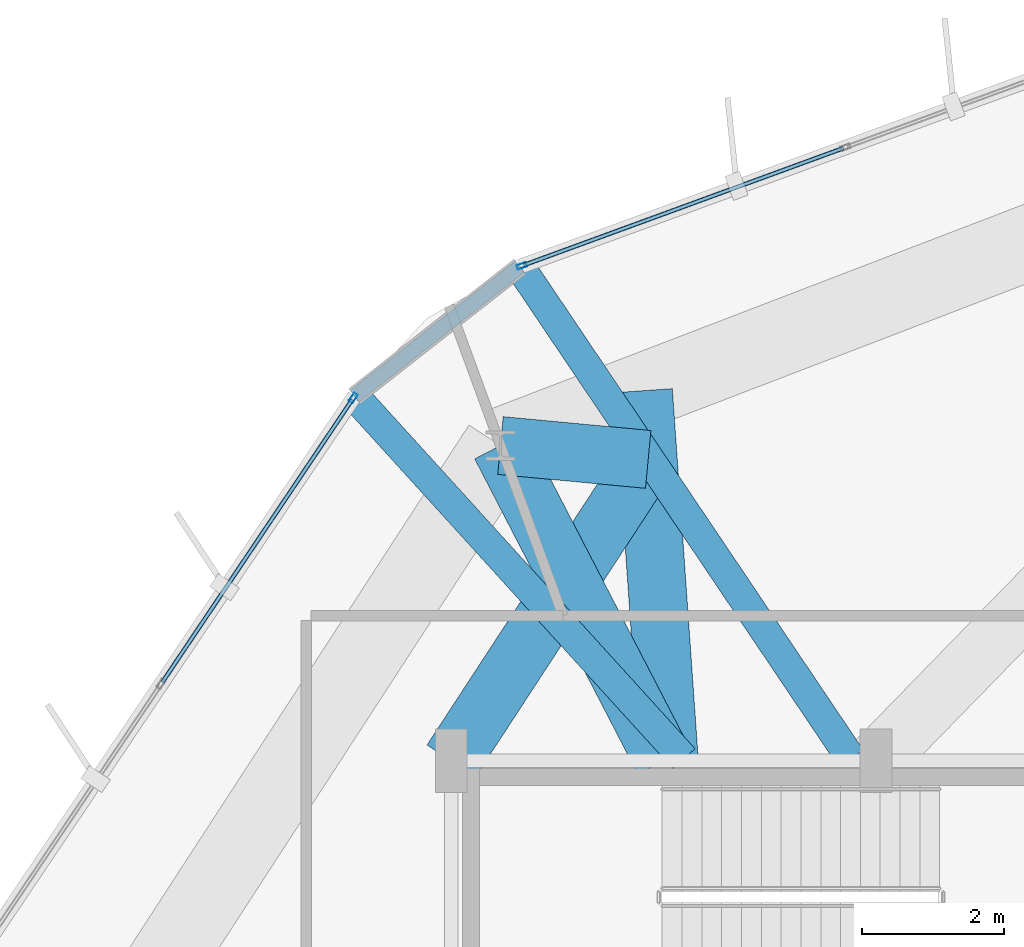
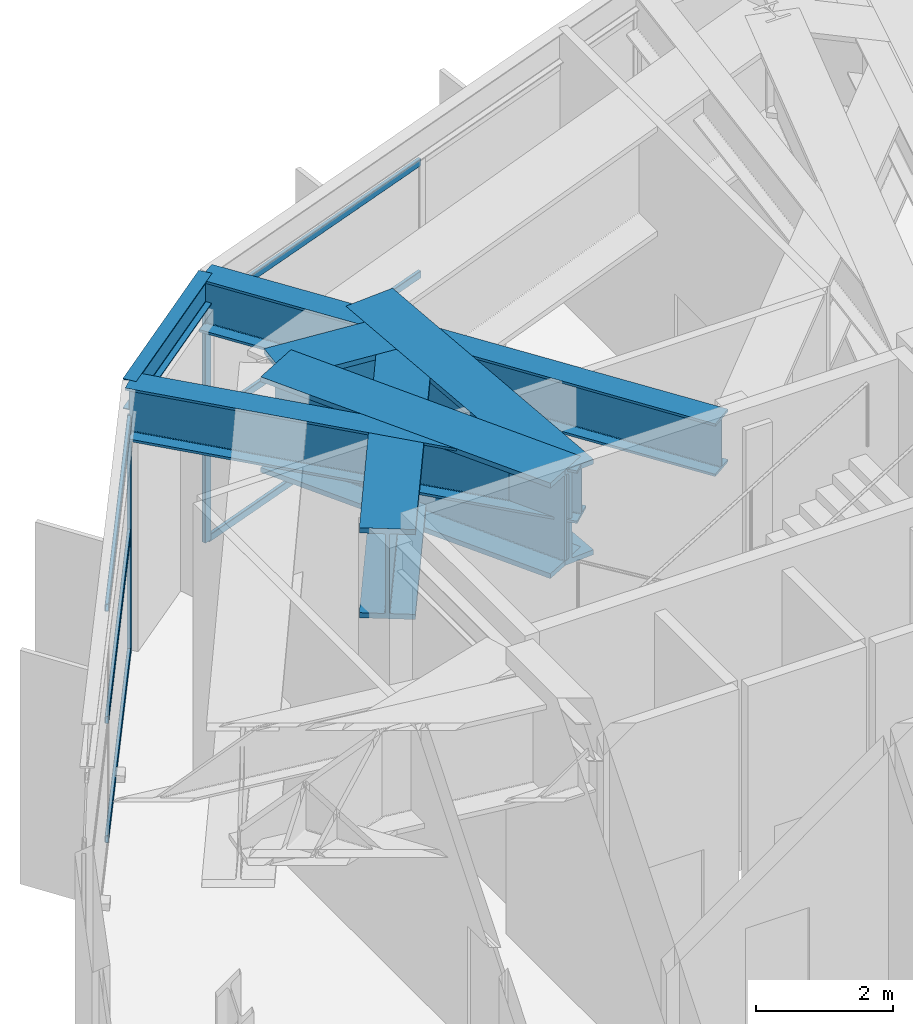
# One storey, part 18 of 30: 8 members, 7 beams, 2 elements without a shape of their own.
"""IFC4 building model written with IfcOpenShell, lengths in metres."""

import ifcopenshell
import ifcopenshell.guid

model = None  # the IFC model being written
_history = None  # IfcOwnerHistory: only IFC2X3 demands one
_inside = {}  # id of a spatial element -> (the spatial element, [elements in it])
_under = {}  # id of a project, library or spatial element -> (it, [spatial elements below it])
_declared = {}  # id of a project -> (the project, [libraries it declares])
_typed = {}  # id of a type object -> (the type object, [elements of that type])
_made_of = {}  # id of a material, layer set ... -> (it, [elements and type objects made of it])


def new_model(schema):
    """Start an empty IFC model of exactly this schema.

    Asked for "IFC4X3", IfcOpenShell would pick the latest addendum, in which some entities
    have other attributes; the version numbers below select the first issue.
    IFC2X3 requires an IfcOwnerHistory on every rooted entity: one is made here for all.
    """
    global model, _history
    if schema == "IFC4X3":
        model = ifcopenshell.file(schema_version=(4, 3, 0, 0))
    else:
        model = ifcopenshell.file(schema=schema)
    _inside.clear()
    _under.clear()
    _declared.clear()
    _typed.clear()
    _made_of.clear()
    _history = None
    if model.schema == "IFC2X3":
        org = make("IfcOrganization", Name="unknown")
        user = make(
            "IfcPersonAndOrganization",
            ThePerson=make("IfcPerson", FamilyName="unknown"),
            TheOrganization=org,
        )
        app = make(
            "IfcApplication",
            ApplicationDeveloper=org,
            Version="unknown",
            ApplicationFullName="unknown",
            ApplicationIdentifier="unknown",
        )
        _history = make(
            "IfcOwnerHistory",
            OwningUser=user,
            OwningApplication=app,
            ChangeAction="ADDED",
            CreationDate=0,
        )
    return model


def make(cls, **values):
    """One entity of the class cls with the attributes given. An attribute that is None is left unset."""
    return model.create_entity(
        cls, **{name: value for name, value in values.items() if value is not None}
    )


def rooted(cls, **values):
    """An entity with a GlobalId (a new one), such as an element, a storey or a relation."""
    return make(cls, GlobalId=ifcopenshell.guid.new(), OwnerHistory=_history, **values)


def si_unit(unit_type, name, prefix=None):
    """IfcSIUnit, for example si_unit("LENGTHUNIT", "METRE", prefix="MILLI")."""
    return make("IfcSIUnit", UnitType=unit_type, Prefix=prefix, Name=name)


def assignment(units):
    """IfcUnitAssignment: the units of a project."""
    return None if units is None else make("IfcUnitAssignment", Units=units)


def point(xyz):
    """IfcCartesianPoint."""
    return None if xyz is None else make("IfcCartesianPoint", Coordinates=xyz)


def direction(xyz):
    """IfcDirection."""
    return None if xyz is None else make("IfcDirection", DirectionRatios=xyz)


def frame(location, z_axis=None, x_axis=None):
    """IfcAxis2Placement3D, a coordinate frame: its origin and axes. An axis left out is left unset."""
    return make(
        "IfcAxis2Placement3D",
        Location=point(location),
        Axis=direction(z_axis),
        RefDirection=direction(x_axis),
    )


def frame_2d(location, x_axis=None):
    """IfcAxis2Placement2D, a coordinate frame in the plane: its origin and x axis."""
    return make(
        "IfcAxis2Placement2D", Location=point(location), RefDirection=direction(x_axis)
    )


def origin():
    """The frame at (0, 0, 0) with its axes left unset."""
    return frame((0.0, 0.0, 0.0))


def origin_2d():
    """The frame at (0, 0) in the plane with its x axis left unset."""
    return frame_2d((0.0, 0.0))


def place(relative_to, where):
    """IfcLocalPlacement: puts the frame where relative to a parent placement (None: the world)."""
    return make(
        "IfcLocalPlacement", PlacementRelTo=relative_to, RelativePlacement=where
    )


def context(
    kind, dimensions, precision=None, world=None, true_north=None, identifier=None
):
    """IfcGeometricRepresentationContext, for example the 3D "Model" context."""
    return make(
        "IfcGeometricRepresentationContext",
        ContextIdentifier=identifier,
        ContextType=kind,
        CoordinateSpaceDimension=dimensions,
        Precision=precision,
        WorldCoordinateSystem=world,
        TrueNorth=true_north,
    )


def subcontext(parent, identifier, kind, view, scale=None):
    """IfcGeometricRepresentationSubContext, for example "Body" below "Model"."""
    return make(
        "IfcGeometricRepresentationSubContext",
        ContextIdentifier=identifier,
        ContextType=kind,
        ParentContext=parent,
        TargetScale=scale,
        TargetView=view,
    )


def project(units=None, contexts=None):
    """IfcProject with its units and contexts."""
    return rooted(
        "IfcProject",
        Name="project",
        RepresentationContexts=contexts,
        UnitsInContext=assignment(units),
    )


def spatial(cls, under=None, at=None, **own):
    """A site, building, storey or space (cls), placed at a placement, below another one or the project."""
    s = rooted(cls, ObjectPlacement=at, **own)
    if under is not None:
        _under.setdefault(under.id(), (under, []))[1].append(s)
    return s


def profile(cls, at=None, kind="AREA", **sizes):
    """A parametric profile (cls). Its sizes go by their IFC names, for example OverallWidth=200.0."""
    return make(cls, ProfileType=kind, Position=at, **sizes)


def hollow_rectangle(**sizes):
    """IfcRectangleHollowProfileDef."""
    return profile("IfcRectangleHollowProfileDef", **sizes)


def i_section(**sizes):
    """IfcIShapeProfileDef."""
    return profile("IfcIShapeProfileDef", **sizes)


def extrude(swept, where, along, depth):
    """IfcExtrudedAreaSolid: the profile swept, set in the frame where, extruded along a direction by depth."""
    return make(
        "IfcExtrudedAreaSolid",
        SweptArea=swept,
        Position=where,
        ExtrudedDirection=direction(along),
        Depth=depth,
    )


def shape(context_of_items, identifier, shape_type, items):
    """IfcShapeRepresentation: the items that make up one representation, for example the "Body"."""
    return make(
        "IfcShapeRepresentation",
        ContextOfItems=context_of_items,
        RepresentationIdentifier=identifier,
        RepresentationType=shape_type,
        Items=items,
    )


def material(Name=None, Category=None):
    """IfcMaterial."""
    return make("IfcMaterial", Name=Name, Category=Category)


def layer(
    of_material, thickness, ventilated=None, Name=None, Category=None, Priority=None
):
    """IfcMaterialLayer: one layer of a wall or slab, of a material (None: an air gap)."""
    return make(
        "IfcMaterialLayer",
        Material=of_material,
        LayerThickness=thickness,
        IsVentilated=ventilated,
        Name=Name,
        Category=Category,
        Priority=Priority,
    )


def layer_set(layers, Name=None):
    """IfcMaterialLayerSet."""
    return make("IfcMaterialLayerSet", MaterialLayers=layers, LayerSetName=Name)


def material_profile(
    of_material, cross_section, Name=None, Category=None, Priority=None
):
    """IfcMaterialProfile: a cross section and its material."""
    return make(
        "IfcMaterialProfile",
        Name=Name,
        Material=of_material,
        Profile=cross_section,
        Priority=Priority,
        Category=Category,
    )


def profile_set(profiles, Name=None, composite=None):
    """IfcMaterialProfileSet."""
    return make(
        "IfcMaterialProfileSet",
        Name=Name,
        MaterialProfiles=profiles,
        CompositeProfile=composite,
    )


def made_of(thing, what):
    """Note that an element or type object is made of a material, layer set ...; save() writes the relation."""
    if what is not None:
        _made_of.setdefault(what.id(), (what, []))[1].append(thing)
    return thing


def type_object(cls, material=None, **own):
    """A type object (cls), such as IfcWallType, which elements share."""
    return made_of(rooted(cls, **own), material)


def element(
    cls,
    number,
    at=None,
    inside=None,
    cuts=None,
    type_object=None,
    material=None,
    context=None,
    identifier="Body",
    shape_type=None,
    held_by="IfcProductDefinitionShape",
    body=None,
    shapes=None,
    **own,
):
    """One element of the class cls, such as IfcWall. Its Tag is "e" and its number.

    at: its placement. inside: the storey or other place that contains it. cuts: it is an
    opening in that element (IfcRelVoidsElement). A single representation is given by context,
    identifier, shape_type and body (its items); several are given by shapes. held_by: the class
    of the entity that holds the representations. save() writes the other relations.
    """
    e = rooted(cls, Tag="e%d" % number, ObjectPlacement=at, **own)
    if body is not None:
        shapes = [shape(context, identifier, shape_type, body)]
    if shapes is not None:
        e.Representation = make(held_by, Representations=shapes)
    if inside is not None:
        _inside.setdefault(inside.id(), (inside, []))[1].append(e)
    if cuts is not None:
        rooted(
            "IfcRelVoidsElement", RelatingBuildingElement=cuts, RelatedOpeningElement=e
        )
    if type_object is not None:
        _typed.setdefault(type_object.id(), (type_object, []))[1].append(e)
    return made_of(e, material)


def aggregate(whole, parts):
    """IfcRelAggregates: a whole, such as a stair, and the parts it consists of."""
    return rooted("IfcRelAggregates", RelatingObject=whole, RelatedObjects=parts)


def save(model, path):
    """Write the relations noted so far, then the file.

    IfcRelAggregates (storeys below a building ...), IfcRelContainedInSpatialStructure (elements
    in a storey), IfcRelDefinesByType, IfcRelAssociatesMaterial and IfcRelDeclares: one each for
    every whole, place, type object, material and project.
    """
    for whole, parts in _under.values():
        aggregate(whole, parts)
    for where, things in _inside.values():
        rooted(
            "IfcRelContainedInSpatialStructure",
            RelatedElements=things,
            RelatingStructure=where,
        )
    for kind, things in _typed.values():
        rooted("IfcRelDefinesByType", RelatedObjects=things, RelatingType=kind)
    for what, things in _made_of.values():
        rooted("IfcRelAssociatesMaterial", RelatedObjects=things, RelatingMaterial=what)
    for by, libraries in _declared.values():
        rooted("IfcRelDeclares", RelatingContext=by, RelatedDefinitions=libraries)
    model.write(path)


model = new_model("IFC4")

# Units and contexts
model_context = context("Model", 3, precision=1e-05, world=origin(), true_north=direction((0.0, 1.0)))
body_context = subcontext(model_context, "Body", "Model", "MODEL_VIEW")
ifc_project = project(units=[si_unit("LENGTHUNIT", "METRE"), si_unit("AREAUNIT", "SQUARE_METRE"), si_unit("VOLUMEUNIT", "CUBIC_METRE"), si_unit("PLANEANGLEUNIT", "RADIAN"), si_unit("MASSUNIT", "GRAM", prefix="KILO")], contexts=[model_context])

# Site, building, storey
site_placement = place(None, origin())
site = spatial("IfcSite", under=ifc_project, at=site_placement, CompositionType="ELEMENT")
building_placement = place(site_placement, origin())
building = spatial("IfcBuilding", under=site, at=building_placement, Name="Soratama Intermodal Tower", CompositionType="ELEMENT")
storey_placement = place(building_placement, frame((0.0, 0.0, 237.39990234375)))
storey = spatial("IfcBuildingStorey", under=building, at=storey_placement, Name="L60", CompositionType="ELEMENT", Elevation=237.39990234375)

# Beams
ifc_material_1 = material(Name="Structural steel ASTM A992 Grade 50", Category="steel")
ifc_material_profile_1 = material_profile(ifc_material_1, i_section(OverallWidth=0.423095703125, OverallDepth=0.93896484375, WebThickness=0.02392578125, FlangeThickness=0.042724609375, FilletRadius=0.02392578125, at=origin_2d()), Name="W36X302")
ifc_profile_set_1 = profile_set([ifc_material_profile_1], Name="Structural steel ASTM A992 Grade 50")
beam_type_1 = type_object("IfcBeamType", Name="BM-POD-W36X302", PredefinedType="BEAM", material=ifc_profile_set_1)
beam_1_placement = place(storey_placement, frame((38.2470703125, 35.032958984375, 4.33056640625), z_axis=(-0.558386782173, 0.829580738382, 0.0), x_axis=(-0.829580738382, -0.558386782173, 0.0)))
element("IfcBeam", 1, at=beam_1_placement, inside=storey, type_object=beam_type_1, Name="BM-L60-TIE1-02", PredefinedType="BEAM", context=body_context, shape_type="SweptSolid", body=[
    extrude(i_section(OverallWidth=0.423095703125, OverallDepth=0.93896484375, WebThickness=0.02392578125, FlangeThickness=0.042724609375, FilletRadius=0.02392578125, at=origin_2d()), origin(), (0.0, 0.0, 1.0), 8.377685546875),
])
beam_2_placement = place(storey_placement, frame((35.887939453125, 35.030029296875, 4.33056640625), z_axis=(-0.672484894509, 0.740110847547, 0.0), x_axis=(-0.740110847547, -0.672484894509, 0.0)))
element("IfcBeam", 2, at=beam_2_placement, inside=storey, type_object=beam_type_1, Name="BM-L60-TIE0-03", PredefinedType="BEAM", context=body_context, shape_type="SweptSolid", body=[
    extrude(i_section(OverallWidth=0.423095703125, OverallDepth=0.93896484375, WebThickness=0.02392578125, FlangeThickness=0.042724609375, FilletRadius=0.02392578125, at=origin_2d()), origin(), (0.0, 0.0, 1.0), 6.920654296875),
])
ifc_material_2 = material(Name="Structural steel ASTM A992 Grade 50", Category="steel")
ifc_material_profile_2 = material_profile(ifc_material_2, i_section(OverallWidth=0.2099609375, OverallDepth=0.537109375, WebThickness=0.010986328125, FlangeThickness=0.017333984375, FilletRadius=0.012939453125, at=origin_2d()), Name="W21X68")
ifc_profile_set_2 = profile_set([ifc_material_profile_2], Name="Structural steel ASTM A992 Grade 50")
beam_type_2 = type_object("IfcBeamType", Name="BM-SPN-W21X68", PredefinedType="SPANDREL", material=ifc_profile_set_2)
beam_3_placement = place(storey_placement, frame((33.569091796875, 41.98291015625, 4.531494140625), z_axis=(-0.786971695724, -0.616989100495, 0.0), x_axis=(0.616989100495, -0.786971695724, 0.0)))
element("IfcBeam", 3, at=beam_3_placement, inside=storey, type_object=beam_type_2, Name="BS-L60-CRN02", PredefinedType="SPANDREL", context=body_context, shape_type="SweptSolid", body=[
    extrude(i_section(OverallWidth=0.2099609375, OverallDepth=0.537109375, WebThickness=0.010986328125, FlangeThickness=0.017333984375, FilletRadius=0.012939453125, at=origin_2d()), origin(), (0.0, 0.0, 1.0), 2.96728515625),
])
ifc_material_3 = material(Name="Structural steel ASTM A992 Grade 50", Category="steel")
ifc_material_profile_3 = material_profile(ifc_material_3, i_section(OverallWidth=0.820068359375, OverallDepth=1.699951171875, WebThickness=0.053955078125, FlangeThickness=0.087890625, FilletRadius=0.02392578125, at=origin_2d()), Name="PG1580X800")
ifc_profile_set_3 = profile_set([ifc_material_profile_3], Name="Structural steel ASTM A992 Grade 50")
beam_type_3 = type_object("IfcBeamType", Name="BM-ZSTEP-PG1580", PredefinedType="BEAM", material=ifc_profile_set_3)
beam_4_placement = place(storey_placement, frame((35.31396484375, 40.22998046875, 3.9501953125), z_axis=(0.069804104052, -0.997560718482, 0.0), x_axis=(0.997560718482, 0.069804104052, 0.0)))
element("IfcBeam", 4, at=beam_4_placement, inside=storey, type_object=beam_type_3, Name="BM-L60-ZCHORD-04", PredefinedType="BEAM", context=body_context, shape_type="SweptSolid", body=[
    extrude(i_section(OverallWidth=0.820068359375, OverallDepth=1.699951171875, WebThickness=0.053955078125, FlangeThickness=0.087890625, FilletRadius=0.02392578125, at=origin_2d()), origin(), (0.0, 0.0, 1.0), 5.24267578125),
])
beam_5_placement = place(storey_placement, frame((35.60009765625, 35.0, 3.9501953125), z_axis=(-0.459552673174, 0.888150516849, 0.0), x_axis=(-0.888150516849, -0.459552673174, 0.0)))
element("IfcBeam", 5, at=beam_5_placement, inside=storey, type_object=beam_type_3, Name="BM-L60-RAD-04", PredefinedType="BEAM", context=body_context, shape_type="SweptSolid", body=[
    extrude(i_section(OverallWidth=0.820068359375, OverallDepth=1.699951171875, WebThickness=0.053955078125, FlangeThickness=0.087890625, FilletRadius=0.02392578125, at=origin_2d()), origin(), (0.0, 0.0, 1.0), 5.01611328125),
])
ifc_material_4 = material(Name="Structural steel ASTM A992 Grade 50", Category="steel")
ifc_material_profile_4 = material_profile(ifc_material_4, i_section(OverallWidth=0.820068359375, OverallDepth=1.60205078125, WebThickness=0.055908203125, FlangeThickness=0.092041015625, FilletRadius=0.02392578125, at=origin_2d()), Name="PG1600X650")
ifc_profile_set_4 = profile_set([ifc_material_profile_4], Name="Structural steel ASTM A992 Grade 50")
beam_type_4 = type_object("IfcBeamType", Name="BM-ZSTEP-PG1600", PredefinedType="BEAM", material=ifc_profile_set_4)
beam_6_placement = place(storey_placement, frame((33.294921875, 39.455078125, 3.9990234375), z_axis=(0.995617637627, -0.093517483099, 0.0), x_axis=(0.093517483099, 0.995617637627, 0.0)))
element("IfcBeam", 6, at=beam_6_placement, inside=storey, type_object=beam_type_4, Name="BM-L60-ZSTEP-A04", PredefinedType="BEAM", context=body_context, shape_type="SweptSolid", body=[
    extrude(i_section(OverallWidth=0.820068359375, OverallDepth=1.60205078125, WebThickness=0.055908203125, FlangeThickness=0.092041015625, FilletRadius=0.02392578125, at=origin_2d()), origin(), (0.0, 0.0, 1.0), 2.096435546875),
])
beam_7_placement = place(storey_placement, frame((35.382080078125, 39.259033203125, 3.9990234375), z_axis=(-0.546867857466, -0.837218935805, 0.0), x_axis=(0.837218935805, -0.546867857466, 0.0)))
element("IfcBeam", 7, at=beam_7_placement, inside=storey, type_object=beam_type_4, Name="BM-L60-ZSTEP-B04", PredefinedType="BEAM", context=body_context, shape_type="SweptSolid", body=[
    extrude(i_section(OverallWidth=0.820068359375, OverallDepth=1.60205078125, WebThickness=0.055908203125, FlangeThickness=0.092041015625, FilletRadius=0.02392578125, at=origin_2d()), origin(), (0.0, 0.0, 1.0), 5.087158203125),
])

# Curtain wall, member
ifc_material_5 = material(Name="Double-glazed aluminium curtain wall", Category="aluminium")
ifc_layer = layer(ifc_material_5, 0.159912109375)
ifc_layer_set = layer_set([ifc_layer], Name="Double-glazed aluminium curtain wall")
curtain_wall_type = type_object("IfcCurtainWallType", Name="CW-SYS-5", PredefinedType="NOTDEFINED", material=ifc_layer_set)
curtain_wall_1_placement = place(storey_placement, origin())
curtain_wall_1 = element("IfcCurtainWall", 8, at=curtain_wall_1_placement, inside=storey, type_object=curtain_wall_type, Name="L60 Faceted Curtain Wall F02", PredefinedType="NOTDEFINED")
ifc_material_6 = material(Name="Anodised aluminium AA 6063-T6", Category="aluminium")
ifc_material_profile_5 = material_profile(ifc_material_6, hollow_rectangle(XDim=0.06494140625, YDim=0.139892578125, WallThickness=0.0048828125, InnerFilletRadius=0.0048828125, OuterFilletRadius=0.010009765625, at=origin_2d()), Name="CWM140X65X5")
ifc_profile_set_5 = profile_set([ifc_material_profile_5], Name="Anodised aluminium AA 6063-T6")
member_type_1 = type_object("IfcMemberType", Name="MT-CWM-5", PredefinedType="MULLION", material=ifc_profile_set_5)
member_1_placement = place(storey_placement, frame((33.5966796875, 41.9931640625, 0.0), z_axis=(0.0, 0.0, 1.0), x_axis=(0.343664081803, -0.93909264659, 0.0)))
member_1 = element("IfcMember", 9, at=member_1_placement, type_object=member_type_1, Name="CW-5 mullion 3", PredefinedType="MULLION", context=body_context, shape_type="SweptSolid", body=[
    extrude(hollow_rectangle(XDim=0.06494140625, YDim=0.139892578125, WallThickness=0.0048828125, InnerFilletRadius=0.0048828125, OuterFilletRadius=0.010009765625, at=origin_2d()), origin(), (0.0, 0.0, 1.0), 4.17919921875),
])

curtain_wall_2_placement = place(storey_placement, origin())
curtain_wall_2 = element("IfcCurtainWall", 10, at=curtain_wall_2_placement, inside=storey, type_object=curtain_wall_type, Name="L60 Faceted Curtain Wall F03", PredefinedType="NOTDEFINED")
member_2_placement = place(storey_placement, frame((31.21728515625, 40.12744140625, 0.0), z_axis=(0.0, 0.0, 1.0), x_axis=(0.830012833984, -0.557744292147, 0.0)))
member_2 = element("IfcMember", 11, at=member_2_placement, type_object=member_type_1, Name="CW-5 mullion 1", PredefinedType="MULLION", context=body_context, shape_type="SweptSolid", body=[
    extrude(hollow_rectangle(XDim=0.06494140625, YDim=0.139892578125, WallThickness=0.0048828125, InnerFilletRadius=0.0048828125, OuterFilletRadius=0.010009765625, at=origin_2d()), origin(), (0.0, 0.0, 1.0), 4.17919921875),
])

# Member
ifc_material_7 = material(Name="Anodised aluminium AA 6063-T6", Category="aluminium")
ifc_material_profile_6 = material_profile(ifc_material_7, hollow_rectangle(XDim=0.06005859375, YDim=0.1298828125, WallThickness=0.0048828125, InnerFilletRadius=0.0048828125, OuterFilletRadius=0.010009765625, at=origin_2d()), Name="CWT130X60X5")
ifc_profile_set_6 = profile_set([ifc_material_profile_6], Name="Anodised aluminium AA 6063-T6")
member_type_2 = type_object("IfcMemberType", Name="TT-CWT-2", PredefinedType="USERDEFINED", material=ifc_profile_set_6)
member_3_placement = place(storey_placement, frame((38.140869140625, 43.65625, 0.030029296875), z_axis=(-0.939076895781, -0.343707119232, 0.0), x_axis=(0.343707119232, -0.939076895781, 0.0)))
member_3 = element("IfcMember", 12, at=member_3_placement, type_object=member_type_2, Name="CW-5 transom 2.1", ObjectType="TRANSOM", PredefinedType="USERDEFINED", context=body_context, shape_type="SweptSolid", body=[
    extrude(hollow_rectangle(XDim=0.06005859375, YDim=0.1298828125, WallThickness=0.0048828125, InnerFilletRadius=0.0048828125, OuterFilletRadius=0.010009765625, at=origin_2d()), origin(), (0.0, 0.0, 1.0), 4.808837890625),
])

member_4_placement = place(storey_placement, frame((38.140869140625, 43.65625, 2.150146484375), z_axis=(-0.939076895781, -0.343707119232, 0.0), x_axis=(0.343707119232, -0.939076895781, 0.0)))
member_4 = element("IfcMember", 13, at=member_4_placement, type_object=member_type_2, Name="CW-5 transom 2.2", ObjectType="TRANSOM", PredefinedType="USERDEFINED", context=body_context, shape_type="SweptSolid", body=[
    extrude(hollow_rectangle(XDim=0.06005859375, YDim=0.1298828125, WallThickness=0.0048828125, InnerFilletRadius=0.0048828125, OuterFilletRadius=0.010009765625, at=origin_2d()), origin(), (0.0, 0.0, 1.0), 4.808837890625),
])

member_5_placement = place(storey_placement, frame((38.140869140625, 43.65625, 4.149169921875), z_axis=(-0.939076895781, -0.343707119232, 0.0), x_axis=(0.343707119232, -0.939076895781, 0.0)))
member_5 = element("IfcMember", 14, at=member_5_placement, type_object=member_type_2, Name="CW-5 transom 2.3", ObjectType="TRANSOM", PredefinedType="USERDEFINED", context=body_context, shape_type="SweptSolid", body=[
    extrude(hollow_rectangle(XDim=0.06005859375, YDim=0.1298828125, WallThickness=0.0048828125, InnerFilletRadius=0.0048828125, OuterFilletRadius=0.010009765625, at=origin_2d()), origin(), (0.0, 0.0, 1.0), 4.808837890625),
])

aggregate(curtain_wall_1, [member_1, member_3, member_4, member_5])

member_6_placement = place(storey_placement, frame((31.20068359375, 40.1025390625, 0.030029296875), z_axis=(-0.557742588142, -0.830013979022, 0.0), x_axis=(0.830013979022, -0.557742588142, 0.0)))
member_6 = element("IfcMember", 15, at=member_6_placement, type_object=member_type_2, Name="CW-5 transom 1.1", ObjectType="TRANSOM", PredefinedType="USERDEFINED", context=body_context, shape_type="SweptSolid", body=[
    extrude(hollow_rectangle(XDim=0.06005859375, YDim=0.1298828125, WallThickness=0.0048828125, InnerFilletRadius=0.0048828125, OuterFilletRadius=0.010009765625, at=origin_2d()), origin(), (0.0, 0.0, 1.0), 4.808837890625),
])

member_7_placement = place(storey_placement, frame((31.20068359375, 40.1025390625, 2.150146484375), z_axis=(-0.557742588142, -0.830013979022, 0.0), x_axis=(0.830013979022, -0.557742588142, 0.0)))
member_7 = element("IfcMember", 16, at=member_7_placement, type_object=member_type_2, Name="CW-5 transom 1.2", ObjectType="TRANSOM", PredefinedType="USERDEFINED", context=body_context, shape_type="SweptSolid", body=[
    extrude(hollow_rectangle(XDim=0.06005859375, YDim=0.1298828125, WallThickness=0.0048828125, InnerFilletRadius=0.0048828125, OuterFilletRadius=0.010009765625, at=origin_2d()), origin(), (0.0, 0.0, 1.0), 4.808837890625),
])

member_8_placement = place(storey_placement, frame((31.20068359375, 40.1025390625, 4.149169921875), z_axis=(-0.557742588142, -0.830013979022, 0.0), x_axis=(0.830013979022, -0.557742588142, 0.0)))
member_8 = element("IfcMember", 17, at=member_8_placement, type_object=member_type_2, Name="CW-5 transom 1.3", ObjectType="TRANSOM", PredefinedType="USERDEFINED", context=body_context, shape_type="SweptSolid", body=[
    extrude(hollow_rectangle(XDim=0.06005859375, YDim=0.1298828125, WallThickness=0.0048828125, InnerFilletRadius=0.0048828125, OuterFilletRadius=0.010009765625, at=origin_2d()), origin(), (0.0, 0.0, 1.0), 4.808837890625),
])

aggregate(curtain_wall_2, [member_2, member_6, member_7, member_8])

save(model, "model.ifc")
